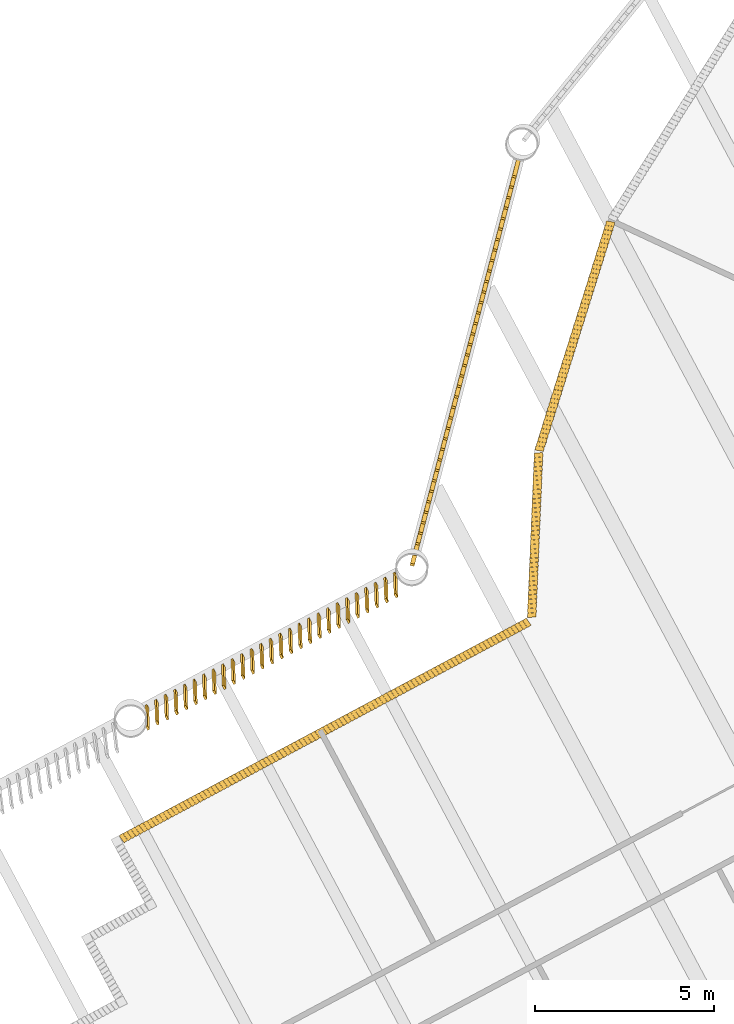
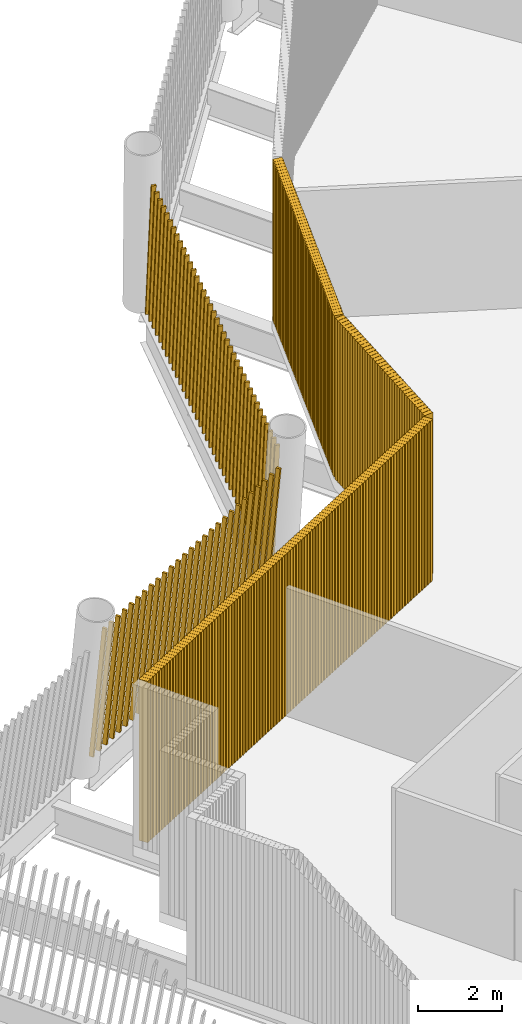
# One storey, part 14 of 21: 5 shading devices.
"""IFC4 building model written with IfcOpenShell, lengths in metres."""

from ifc_helpers import new_model, si_unit, direction, frame, frame_2d, origin, place, context, subcontext, project, spatial, rectangle, composite_profile, extrude, material, type_object, element, save


model = new_model("IFC4")

# Units and contexts
model_context = context("Model", 3, precision=1e-05, world=origin(), true_north=direction((0.0, 1.0)))
body_context = subcontext(model_context, "Body", "Model", "MODEL_VIEW")
ifc_project = project(units=[si_unit("LENGTHUNIT", "METRE"), si_unit("AREAUNIT", "SQUARE_METRE"), si_unit("VOLUMEUNIT", "CUBIC_METRE"), si_unit("PLANEANGLEUNIT", "RADIAN"), si_unit("MASSUNIT", "GRAM", prefix="KILO")], contexts=[model_context])

# Site, building, storey
site_placement = place(None, origin())
site = spatial("IfcSite", under=ifc_project, at=site_placement, CompositionType="ELEMENT")
building_placement = place(site_placement, origin())
building = spatial("IfcBuilding", under=site, at=building_placement, Name="Tarsis Ring Headquarters", CompositionType="ELEMENT")
storey_placement = place(building_placement, frame((0.0, 0.0, 398.60009765625)))
storey = spatial("IfcBuildingStorey", under=building, at=storey_placement, Name="L94", CompositionType="ELEMENT", Elevation=398.60009765625)

# Shading devices
ifc_material_1 = material(Name="Aluminium louvre", Category="aluminium")
shading_device_type_1 = type_object("IfcShadingDeviceType", Name="Plant louvre fin", PredefinedType="USERDEFINED", material=ifc_material_1)
shading_device_1_placement = place(storey_placement, frame((-23.469970703125, 10.88623046875, 0.0), z_axis=(0.0, 0.0, 1.0), x_axis=(-0.299371617449, -0.954124441539, 0.0)))
element("IfcShadingDevice", 1, at=shading_device_1_placement, inside=storey, type_object=shading_device_type_1, Name="Louvre L94-29", ObjectType="Louvre", PredefinedType="USERDEFINED", context=body_context, shape_type="SweptSolid", body=[
    extrude(composite_profile([rectangle(XDim=0.1201171875, YDim=0.239990234375, at=frame_2d((0.076171875, 0.0), x_axis=(0.990268068742, 0.13917310096))), rectangle(XDim=0.1201171875, YDim=0.239990234375, at=frame_2d((0.202392578125, 0.0), x_axis=(0.990268068742, 0.13917310096))), rectangle(XDim=0.1201171875, YDim=0.239990234375, at=frame_2d((0.328857421875, 0.0), x_axis=(0.990268068742, 0.13917310096))), rectangle(XDim=0.1201171875, YDim=0.239990234375, at=frame_2d((0.455078125, 0.0), x_axis=(0.990268068742, 0.13917310096))), rectangle(XDim=0.1201171875, YDim=0.239990234375, at=frame_2d((0.58154296875, 0.0), x_axis=(0.990268068742, 0.13917310096))), rectangle(XDim=0.1201171875, YDim=0.239990234375, at=frame_2d((0.707763671875, 0.0), x_axis=(0.990268068742, 0.13917310096))), rectangle(XDim=0.1201171875, YDim=0.239990234375, at=frame_2d((0.834228515625, 0.0), x_axis=(0.990268068742, 0.13917310096))), rectangle(XDim=0.1201171875, YDim=0.239990234375, at=frame_2d((0.96044921875, 0.0), x_axis=(0.990268068742, 0.13917310096))), rectangle(XDim=0.1201171875, YDim=0.239990234375, at=frame_2d((1.0869140625, 0.0), x_axis=(0.990268068742, 0.13917310096))), rectangle(XDim=0.1201171875, YDim=0.239990234375, at=frame_2d((1.213134765625, 0.0), x_axis=(0.990268068742, 0.13917310096))), rectangle(XDim=0.1201171875, YDim=0.239990234375, at=frame_2d((1.33935546875, 0.0), x_axis=(0.990268068742, 0.13917310096))), rectangle(XDim=0.1201171875, YDim=0.239990234375, at=frame_2d((1.4658203125, 0.0), x_axis=(0.990268068742, 0.13917310096))), rectangle(XDim=0.1201171875, YDim=0.239990234375, at=frame_2d((1.592041015625, 0.0), x_axis=(0.990268068742, 0.13917310096))), rectangle(XDim=0.1201171875, YDim=0.239990234375, at=frame_2d((1.718505859375, 0.0), x_axis=(0.990268068742, 0.13917310096))), rectangle(XDim=0.1201171875, YDim=0.239990234375, at=frame_2d((1.8447265625, 0.0), x_axis=(0.990268068742, 0.13917310096))), rectangle(XDim=0.1201171875, YDim=0.239990234375, at=frame_2d((1.97119140625, 0.0), x_axis=(0.990268068742, 0.13917310096))), rectangle(XDim=0.1201171875, YDim=0.239990234375, at=frame_2d((2.097412109375, 0.0), x_axis=(0.990268068742, 0.13917310096))), rectangle(XDim=0.1201171875, YDim=0.239990234375, at=frame_2d((2.223876953125, 0.0), x_axis=(0.990268068742, 0.13917310096))), rectangle(XDim=0.1201171875, YDim=0.239990234375, at=frame_2d((2.35009765625, 0.0), x_axis=(0.990268068742, 0.13917310096))), rectangle(XDim=0.1201171875, YDim=0.239990234375, at=frame_2d((2.476318359375, 0.0), x_axis=(0.990268068742, 0.13917310096))), rectangle(XDim=0.1201171875, YDim=0.239990234375, at=frame_2d((2.602783203125, 0.0), x_axis=(0.990268068742, 0.13917310096))), rectangle(XDim=0.1201171875, YDim=0.239990234375, at=frame_2d((2.72900390625, 0.0), x_axis=(0.990268068742, 0.13917310096))), rectangle(XDim=0.1201171875, YDim=0.239990234375, at=frame_2d((2.85546875, 0.0), x_axis=(0.990268068742, 0.13917310096))), rectangle(XDim=0.1201171875, YDim=0.239990234375, at=frame_2d((2.981689453125, 0.0), x_axis=(0.990268068742, 0.13917310096))), rectangle(XDim=0.1201171875, YDim=0.239990234375, at=frame_2d((3.108154296875, 0.0), x_axis=(0.990268068742, 0.13917310096))), rectangle(XDim=0.1201171875, YDim=0.239990234375, at=frame_2d((3.234375, 0.0), x_axis=(0.990268068742, 0.13917310096))), rectangle(XDim=0.1201171875, YDim=0.239990234375, at=frame_2d((3.36083984375, 0.0), x_axis=(0.990268068742, 0.13917310096))), rectangle(XDim=0.1201171875, YDim=0.239990234375, at=frame_2d((3.487060546875, 0.0), x_axis=(0.990268068742, 0.13917310096))), rectangle(XDim=0.1201171875, YDim=0.239990234375, at=frame_2d((3.61328125, 0.0), x_axis=(0.990268068742, 0.13917310096))), rectangle(XDim=0.1201171875, YDim=0.239990234375, at=frame_2d((3.73974609375, 0.0), x_axis=(0.990268068742, 0.13917310096))), rectangle(XDim=0.1201171875, YDim=0.239990234375, at=frame_2d((3.865966796875, 0.0), x_axis=(0.990268068742, 0.13917310096))), rectangle(XDim=0.1201171875, YDim=0.239990234375, at=frame_2d((3.992431640625, 0.0), x_axis=(0.990268068742, 0.13917310096))), rectangle(XDim=0.1201171875, YDim=0.239990234375, at=frame_2d((4.11865234375, 0.0), x_axis=(0.990268068742, 0.13917310096))), rectangle(XDim=0.1201171875, YDim=0.239990234375, at=frame_2d((4.2451171875, 0.0), x_axis=(0.990268068742, 0.13917310096))), rectangle(XDim=0.1201171875, YDim=0.239990234375, at=frame_2d((4.371337890625, 0.0), x_axis=(0.990268068742, 0.13917310096))), rectangle(XDim=0.1201171875, YDim=0.239990234375, at=frame_2d((4.49755859375, 0.0), x_axis=(0.990268068742, 0.13917310096))), rectangle(XDim=0.1201171875, YDim=0.239990234375, at=frame_2d((4.6240234375, 0.0), x_axis=(0.990268068742, 0.13917310096))), rectangle(XDim=0.1201171875, YDim=0.239990234375, at=frame_2d((4.750244140625, 0.0), x_axis=(0.990268068742, 0.13917310096))), rectangle(XDim=0.1201171875, YDim=0.239990234375, at=frame_2d((4.876708984375, 0.0), x_axis=(0.990268068742, 0.13917310096))), rectangle(XDim=0.1201171875, YDim=0.239990234375, at=frame_2d((5.0029296875, 0.0), x_axis=(0.990268068742, 0.13917310096))), rectangle(XDim=0.1201171875, YDim=0.239990234375, at=frame_2d((5.12939453125, 0.0), x_axis=(0.990268068742, 0.13917310096))), rectangle(XDim=0.1201171875, YDim=0.239990234375, at=frame_2d((5.255615234375, 0.0), x_axis=(0.990268068742, 0.13917310096))), rectangle(XDim=0.1201171875, YDim=0.239990234375, at=frame_2d((5.382080078125, 0.0), x_axis=(0.990268068742, 0.13917310096))), rectangle(XDim=0.1201171875, YDim=0.239990234375, at=frame_2d((5.50830078125, 0.0), x_axis=(0.990268068742, 0.13917310096))), rectangle(XDim=0.1201171875, YDim=0.239990234375, at=frame_2d((5.634521484375, 0.0), x_axis=(0.990268068742, 0.13917310096))), rectangle(XDim=0.1201171875, YDim=0.239990234375, at=frame_2d((5.760986328125, 0.0), x_axis=(0.990268068742, 0.13917310096))), rectangle(XDim=0.1201171875, YDim=0.239990234375, at=frame_2d((5.88720703125, 0.0), x_axis=(0.990268068742, 0.13917310096))), rectangle(XDim=0.1201171875, YDim=0.239990234375, at=frame_2d((6.013671875, 0.0), x_axis=(0.990268068742, 0.13917310096))), rectangle(XDim=0.1201171875, YDim=0.239990234375, at=frame_2d((6.139892578125, 0.0), x_axis=(0.990268068742, 0.13917310096))), rectangle(XDim=0.1201171875, YDim=0.239990234375, at=frame_2d((6.266357421875, 0.0), x_axis=(0.990268068742, 0.13917310096))), rectangle(XDim=0.1201171875, YDim=0.239990234375, at=frame_2d((6.392578125, 0.0), x_axis=(0.990268068742, 0.13917310096))), rectangle(XDim=0.1201171875, YDim=0.239990234375, at=frame_2d((6.51904296875, 0.0), x_axis=(0.990268068742, 0.13917310096))), rectangle(XDim=0.1201171875, YDim=0.239990234375, at=frame_2d((6.645263671875, 0.0), x_axis=(0.990268068742, 0.13917310096)))]), origin(), (0.0, 0.0, 1.0), 4.699951171875),
])
shading_device_2_placement = place(storey_placement, frame((-25.48779296875, 4.44091796875, 0.0), z_axis=(0.0, 0.0, 1.0), x_axis=(-0.04224160719, -0.9991012424, 0.0)))
element("IfcShadingDevice", 2, at=shading_device_2_placement, inside=storey, type_object=shading_device_type_1, Name="Louvre L94-30", ObjectType="Louvre", PredefinedType="USERDEFINED", context=body_context, shape_type="SweptSolid", body=[
    extrude(composite_profile([rectangle(XDim=0.1201171875, YDim=0.239990234375, at=frame_2d((0.076171875, 0.0), x_axis=(0.990268068742, 0.13917310096))), rectangle(XDim=0.1201171875, YDim=0.239990234375, at=frame_2d((0.203857421875, 0.0), x_axis=(0.990268068742, 0.13917310096))), rectangle(XDim=0.1201171875, YDim=0.239990234375, at=frame_2d((0.331298828125, 0.0), x_axis=(0.990268068742, 0.13917310096))), rectangle(XDim=0.1201171875, YDim=0.239990234375, at=frame_2d((0.458984375, 0.0), x_axis=(0.990268068742, 0.13917310096))), rectangle(XDim=0.1201171875, YDim=0.239990234375, at=frame_2d((0.58642578125, 0.0), x_axis=(0.990268068742, 0.13917310096))), rectangle(XDim=0.1201171875, YDim=0.239990234375, at=frame_2d((0.714111328125, 0.0), x_axis=(0.990268068742, 0.13917310096))), rectangle(XDim=0.1201171875, YDim=0.239990234375, at=frame_2d((0.841796875, 0.0), x_axis=(0.990268068742, 0.13917310096))), rectangle(XDim=0.1201171875, YDim=0.239990234375, at=frame_2d((0.96923828125, 0.0), x_axis=(0.990268068742, 0.13917310096))), rectangle(XDim=0.1201171875, YDim=0.239990234375, at=frame_2d((1.096923828125, 0.0), x_axis=(0.990268068742, 0.13917310096))), rectangle(XDim=0.1201171875, YDim=0.239990234375, at=frame_2d((1.224365234375, 0.0), x_axis=(0.990268068742, 0.13917310096))), rectangle(XDim=0.1201171875, YDim=0.239990234375, at=frame_2d((1.35205078125, 0.0), x_axis=(0.990268068742, 0.13917310096))), rectangle(XDim=0.1201171875, YDim=0.239990234375, at=frame_2d((1.479736328125, 0.0), x_axis=(0.990268068742, 0.13917310096))), rectangle(XDim=0.1201171875, YDim=0.239990234375, at=frame_2d((1.607177734375, 0.0), x_axis=(0.990268068742, 0.13917310096))), rectangle(XDim=0.1201171875, YDim=0.239990234375, at=frame_2d((1.73486328125, 0.0), x_axis=(0.990268068742, 0.13917310096))), rectangle(XDim=0.1201171875, YDim=0.239990234375, at=frame_2d((1.8623046875, 0.0), x_axis=(0.990268068742, 0.13917310096))), rectangle(XDim=0.1201171875, YDim=0.239990234375, at=frame_2d((1.989990234375, 0.0), x_axis=(0.990268068742, 0.13917310096))), rectangle(XDim=0.1201171875, YDim=0.239990234375, at=frame_2d((2.11767578125, 0.0), x_axis=(0.990268068742, 0.13917310096))), rectangle(XDim=0.1201171875, YDim=0.239990234375, at=frame_2d((2.2451171875, 0.0), x_axis=(0.990268068742, 0.13917310096))), rectangle(XDim=0.1201171875, YDim=0.239990234375, at=frame_2d((2.372802734375, 0.0), x_axis=(0.990268068742, 0.13917310096))), rectangle(XDim=0.1201171875, YDim=0.239990234375, at=frame_2d((2.500244140625, 0.0), x_axis=(0.990268068742, 0.13917310096))), rectangle(XDim=0.1201171875, YDim=0.239990234375, at=frame_2d((2.6279296875, 0.0), x_axis=(0.990268068742, 0.13917310096))), rectangle(XDim=0.1201171875, YDim=0.239990234375, at=frame_2d((2.755615234375, 0.0), x_axis=(0.990268068742, 0.13917310096))), rectangle(XDim=0.1201171875, YDim=0.239990234375, at=frame_2d((2.883056640625, 0.0), x_axis=(0.990268068742, 0.13917310096))), rectangle(XDim=0.1201171875, YDim=0.239990234375, at=frame_2d((3.0107421875, 0.0), x_axis=(0.990268068742, 0.13917310096))), rectangle(XDim=0.1201171875, YDim=0.239990234375, at=frame_2d((3.13818359375, 0.0), x_axis=(0.990268068742, 0.13917310096))), rectangle(XDim=0.1201171875, YDim=0.239990234375, at=frame_2d((3.265869140625, 0.0), x_axis=(0.990268068742, 0.13917310096))), rectangle(XDim=0.1201171875, YDim=0.239990234375, at=frame_2d((3.3935546875, 0.0), x_axis=(0.990268068742, 0.13917310096))), rectangle(XDim=0.1201171875, YDim=0.239990234375, at=frame_2d((3.52099609375, 0.0), x_axis=(0.990268068742, 0.13917310096))), rectangle(XDim=0.1201171875, YDim=0.239990234375, at=frame_2d((3.648681640625, 0.0), x_axis=(0.990268068742, 0.13917310096))), rectangle(XDim=0.1201171875, YDim=0.239990234375, at=frame_2d((3.776123046875, 0.0), x_axis=(0.990268068742, 0.13917310096))), rectangle(XDim=0.1201171875, YDim=0.239990234375, at=frame_2d((3.90380859375, 0.0), x_axis=(0.990268068742, 0.13917310096))), rectangle(XDim=0.1201171875, YDim=0.239990234375, at=frame_2d((4.031494140625, 0.0), x_axis=(0.990268068742, 0.13917310096))), rectangle(XDim=0.1201171875, YDim=0.239990234375, at=frame_2d((4.158935546875, 0.0), x_axis=(0.990268068742, 0.13917310096))), rectangle(XDim=0.1201171875, YDim=0.239990234375, at=frame_2d((4.28662109375, 0.0), x_axis=(0.990268068742, 0.13917310096))), rectangle(XDim=0.1201171875, YDim=0.239990234375, at=frame_2d((4.4140625, 0.0), x_axis=(0.990268068742, 0.13917310096))), rectangle(XDim=0.1201171875, YDim=0.239990234375, at=frame_2d((4.541748046875, 0.0), x_axis=(0.990268068742, 0.13917310096)))]), origin(), (0.0, 0.0, 1.0), 4.699951171875),
])
shading_device_3_placement = place(storey_placement, frame((-25.748779296875, -0.27783203125, 0.0), z_axis=(0.0, 0.0, 1.0), x_axis=(-0.882295057149, -0.470687306033, 0.0)))
element("IfcShadingDevice", 3, at=shading_device_3_placement, inside=storey, type_object=shading_device_type_1, Name="Louvre L94-31", ObjectType="Louvre", PredefinedType="USERDEFINED", context=body_context, shape_type="SweptSolid", body=[
    extrude(composite_profile([rectangle(XDim=0.1201171875, YDim=0.239990234375, at=frame_2d((0.076171875, 0.0), x_axis=(0.990268068742, 0.13917310096))), rectangle(XDim=0.1201171875, YDim=0.239990234375, at=frame_2d((0.202392578125, 0.0), x_axis=(0.990268068742, 0.13917310096))), rectangle(XDim=0.1201171875, YDim=0.239990234375, at=frame_2d((0.32861328125, 0.0), x_axis=(0.990268068742, 0.13917310096))), rectangle(XDim=0.1201171875, YDim=0.239990234375, at=frame_2d((0.454833984375, 0.0), x_axis=(0.990268068742, 0.13917310096))), rectangle(XDim=0.1201171875, YDim=0.239990234375, at=frame_2d((0.5810546875, 0.0), x_axis=(0.990268068742, 0.13917310096))), rectangle(XDim=0.1201171875, YDim=0.239990234375, at=frame_2d((0.707275390625, 0.0), x_axis=(0.990268068742, 0.13917310096))), rectangle(XDim=0.1201171875, YDim=0.239990234375, at=frame_2d((0.83349609375, 0.0), x_axis=(0.990268068742, 0.13917310096))), rectangle(XDim=0.1201171875, YDim=0.239990234375, at=frame_2d((0.959716796875, 0.0), x_axis=(0.990268068742, 0.13917310096))), rectangle(XDim=0.1201171875, YDim=0.239990234375, at=frame_2d((1.0859375, 0.0), x_axis=(0.990268068742, 0.13917310096))), rectangle(XDim=0.1201171875, YDim=0.239990234375, at=frame_2d((1.212158203125, 0.0), x_axis=(0.990268068742, 0.13917310096))), rectangle(XDim=0.1201171875, YDim=0.239990234375, at=frame_2d((1.33837890625, 0.0), x_axis=(0.990268068742, 0.13917310096))), rectangle(XDim=0.1201171875, YDim=0.239990234375, at=frame_2d((1.464599609375, 0.0), x_axis=(0.990268068742, 0.13917310096))), rectangle(XDim=0.1201171875, YDim=0.239990234375, at=frame_2d((1.5908203125, 0.0), x_axis=(0.990268068742, 0.13917310096))), rectangle(XDim=0.1201171875, YDim=0.239990234375, at=frame_2d((1.717041015625, 0.0), x_axis=(0.990268068742, 0.13917310096))), rectangle(XDim=0.1201171875, YDim=0.239990234375, at=frame_2d((1.84326171875, 0.0), x_axis=(0.990268068742, 0.13917310096))), rectangle(XDim=0.1201171875, YDim=0.239990234375, at=frame_2d((1.969482421875, 0.0), x_axis=(0.990268068742, 0.13917310096))), rectangle(XDim=0.1201171875, YDim=0.239990234375, at=frame_2d((2.095703125, 0.0), x_axis=(0.990268068742, 0.13917310096))), rectangle(XDim=0.1201171875, YDim=0.239990234375, at=frame_2d((2.22216796875, 0.0), x_axis=(0.990268068742, 0.13917310096))), rectangle(XDim=0.1201171875, YDim=0.239990234375, at=frame_2d((2.348388671875, 0.0), x_axis=(0.990268068742, 0.13917310096))), rectangle(XDim=0.1201171875, YDim=0.239990234375, at=frame_2d((2.474609375, 0.0), x_axis=(0.990268068742, 0.13917310096))), rectangle(XDim=0.1201171875, YDim=0.239990234375, at=frame_2d((2.600830078125, 0.0), x_axis=(0.990268068742, 0.13917310096))), rectangle(XDim=0.1201171875, YDim=0.239990234375, at=frame_2d((2.72705078125, 0.0), x_axis=(0.990268068742, 0.13917310096))), rectangle(XDim=0.1201171875, YDim=0.239990234375, at=frame_2d((2.853271484375, 0.0), x_axis=(0.990268068742, 0.13917310096))), rectangle(XDim=0.1201171875, YDim=0.239990234375, at=frame_2d((2.9794921875, 0.0), x_axis=(0.990268068742, 0.13917310096))), rectangle(XDim=0.1201171875, YDim=0.239990234375, at=frame_2d((3.105712890625, 0.0), x_axis=(0.990268068742, 0.13917310096))), rectangle(XDim=0.1201171875, YDim=0.239990234375, at=frame_2d((3.23193359375, 0.0), x_axis=(0.990268068742, 0.13917310096))), rectangle(XDim=0.1201171875, YDim=0.239990234375, at=frame_2d((3.358154296875, 0.0), x_axis=(0.990268068742, 0.13917310096))), rectangle(XDim=0.1201171875, YDim=0.239990234375, at=frame_2d((3.484375, 0.0), x_axis=(0.990268068742, 0.13917310096))), rectangle(XDim=0.1201171875, YDim=0.239990234375, at=frame_2d((3.610595703125, 0.0), x_axis=(0.990268068742, 0.13917310096))), rectangle(XDim=0.1201171875, YDim=0.239990234375, at=frame_2d((3.73681640625, 0.0), x_axis=(0.990268068742, 0.13917310096))), rectangle(XDim=0.1201171875, YDim=0.239990234375, at=frame_2d((3.863037109375, 0.0), x_axis=(0.990268068742, 0.13917310096))), rectangle(XDim=0.1201171875, YDim=0.239990234375, at=frame_2d((3.9892578125, 0.0), x_axis=(0.990268068742, 0.13917310096))), rectangle(XDim=0.1201171875, YDim=0.239990234375, at=frame_2d((4.115478515625, 0.0), x_axis=(0.990268068742, 0.13917310096))), rectangle(XDim=0.1201171875, YDim=0.239990234375, at=frame_2d((4.24169921875, 0.0), x_axis=(0.990268068742, 0.13917310096))), rectangle(XDim=0.1201171875, YDim=0.239990234375, at=frame_2d((4.367919921875, 0.0), x_axis=(0.990268068742, 0.13917310096))), rectangle(XDim=0.1201171875, YDim=0.239990234375, at=frame_2d((4.494140625, 0.0), x_axis=(0.990268068742, 0.13917310096))), rectangle(XDim=0.1201171875, YDim=0.239990234375, at=frame_2d((4.620361328125, 0.0), x_axis=(0.990268068742, 0.13917310096))), rectangle(XDim=0.1201171875, YDim=0.239990234375, at=frame_2d((4.74658203125, 0.0), x_axis=(0.990268068742, 0.13917310096))), rectangle(XDim=0.1201171875, YDim=0.239990234375, at=frame_2d((4.872802734375, 0.0), x_axis=(0.990268068742, 0.13917310096))), rectangle(XDim=0.1201171875, YDim=0.239990234375, at=frame_2d((4.9990234375, 0.0), x_axis=(0.990268068742, 0.13917310096))), rectangle(XDim=0.1201171875, YDim=0.239990234375, at=frame_2d((5.125244140625, 0.0), x_axis=(0.990268068742, 0.13917310096))), rectangle(XDim=0.1201171875, YDim=0.239990234375, at=frame_2d((5.25146484375, 0.0), x_axis=(0.990268068742, 0.13917310096))), rectangle(XDim=0.1201171875, YDim=0.239990234375, at=frame_2d((5.377685546875, 0.0), x_axis=(0.990268068742, 0.13917310096))), rectangle(XDim=0.1201171875, YDim=0.239990234375, at=frame_2d((5.50390625, 0.0), x_axis=(0.990268068742, 0.13917310096))), rectangle(XDim=0.1201171875, YDim=0.239990234375, at=frame_2d((5.630126953125, 0.0), x_axis=(0.990268068742, 0.13917310096))), rectangle(XDim=0.1201171875, YDim=0.239990234375, at=frame_2d((5.75634765625, 0.0), x_axis=(0.990268068742, 0.13917310096))), rectangle(XDim=0.1201171875, YDim=0.239990234375, at=frame_2d((5.882568359375, 0.0), x_axis=(0.990268068742, 0.13917310096))), rectangle(XDim=0.1201171875, YDim=0.239990234375, at=frame_2d((6.0087890625, 0.0), x_axis=(0.990268068742, 0.13917310096))), rectangle(XDim=0.1201171875, YDim=0.239990234375, at=frame_2d((6.135009765625, 0.0), x_axis=(0.990268068742, 0.13917310096))), rectangle(XDim=0.1201171875, YDim=0.239990234375, at=frame_2d((6.26123046875, 0.0), x_axis=(0.990268068742, 0.13917310096))), rectangle(XDim=0.1201171875, YDim=0.239990234375, at=frame_2d((6.387451171875, 0.0), x_axis=(0.990268068742, 0.13917310096))), rectangle(XDim=0.1201171875, YDim=0.239990234375, at=frame_2d((6.513916015625, 0.0), x_axis=(0.990268068742, 0.13917310096))), rectangle(XDim=0.1201171875, YDim=0.239990234375, at=frame_2d((6.64013671875, 0.0), x_axis=(0.990268068742, 0.13917310096))), rectangle(XDim=0.1201171875, YDim=0.239990234375, at=frame_2d((6.766357421875, 0.0), x_axis=(0.990268068742, 0.13917310096))), rectangle(XDim=0.1201171875, YDim=0.239990234375, at=frame_2d((6.892578125, 0.0), x_axis=(0.990268068742, 0.13917310096))), rectangle(XDim=0.1201171875, YDim=0.239990234375, at=frame_2d((7.018798828125, 0.0), x_axis=(0.990268068742, 0.13917310096))), rectangle(XDim=0.1201171875, YDim=0.239990234375, at=frame_2d((7.14501953125, 0.0), x_axis=(0.990268068742, 0.13917310096))), rectangle(XDim=0.1201171875, YDim=0.239990234375, at=frame_2d((7.271240234375, 0.0), x_axis=(0.990268068742, 0.13917310096))), rectangle(XDim=0.1201171875, YDim=0.239990234375, at=frame_2d((7.3974609375, 0.0), x_axis=(0.990268068742, 0.13917310096))), rectangle(XDim=0.1201171875, YDim=0.239990234375, at=frame_2d((7.523681640625, 0.0), x_axis=(0.990268068742, 0.13917310096))), rectangle(XDim=0.1201171875, YDim=0.239990234375, at=frame_2d((7.64990234375, 0.0), x_axis=(0.990268068742, 0.13917310096))), rectangle(XDim=0.1201171875, YDim=0.239990234375, at=frame_2d((7.776123046875, 0.0), x_axis=(0.990268068742, 0.13917310096))), rectangle(XDim=0.1201171875, YDim=0.239990234375, at=frame_2d((7.90234375, 0.0), x_axis=(0.990268068742, 0.13917310096))), rectangle(XDim=0.1201171875, YDim=0.239990234375, at=frame_2d((8.028564453125, 0.0), x_axis=(0.990268068742, 0.13917310096))), rectangle(XDim=0.1201171875, YDim=0.239990234375, at=frame_2d((8.15478515625, 0.0), x_axis=(0.990268068742, 0.13917310096))), rectangle(XDim=0.1201171875, YDim=0.239990234375, at=frame_2d((8.281005859375, 0.0), x_axis=(0.990268068742, 0.13917310096))), rectangle(XDim=0.1201171875, YDim=0.239990234375, at=frame_2d((8.4072265625, 0.0), x_axis=(0.990268068742, 0.13917310096))), rectangle(XDim=0.1201171875, YDim=0.239990234375, at=frame_2d((8.533447265625, 0.0), x_axis=(0.990268068742, 0.13917310096))), rectangle(XDim=0.1201171875, YDim=0.239990234375, at=frame_2d((8.65966796875, 0.0), x_axis=(0.990268068742, 0.13917310096))), rectangle(XDim=0.1201171875, YDim=0.239990234375, at=frame_2d((8.785888671875, 0.0), x_axis=(0.990268068742, 0.13917310096))), rectangle(XDim=0.1201171875, YDim=0.239990234375, at=frame_2d((8.912109375, 0.0), x_axis=(0.990268068742, 0.13917310096))), rectangle(XDim=0.1201171875, YDim=0.239990234375, at=frame_2d((9.038330078125, 0.0), x_axis=(0.990268068742, 0.13917310096))), rectangle(XDim=0.1201171875, YDim=0.239990234375, at=frame_2d((9.16455078125, 0.0), x_axis=(0.990268068742, 0.13917310096))), rectangle(XDim=0.1201171875, YDim=0.239990234375, at=frame_2d((9.290771484375, 0.0), x_axis=(0.990268068742, 0.13917310096))), rectangle(XDim=0.1201171875, YDim=0.239990234375, at=frame_2d((9.4169921875, 0.0), x_axis=(0.990268068742, 0.13917310096))), rectangle(XDim=0.1201171875, YDim=0.239990234375, at=frame_2d((9.543212890625, 0.0), x_axis=(0.990268068742, 0.13917310096))), rectangle(XDim=0.1201171875, YDim=0.239990234375, at=frame_2d((9.66943359375, 0.0), x_axis=(0.990268068742, 0.13917310096))), rectangle(XDim=0.1201171875, YDim=0.239990234375, at=frame_2d((9.795654296875, 0.0), x_axis=(0.990268068742, 0.13917310096))), rectangle(XDim=0.1201171875, YDim=0.239990234375, at=frame_2d((9.921875, 0.0), x_axis=(0.990268068742, 0.13917310096))), rectangle(XDim=0.1201171875, YDim=0.239990234375, at=frame_2d((10.048095703125, 0.0), x_axis=(0.990268068742, 0.13917310096))), rectangle(XDim=0.1201171875, YDim=0.239990234375, at=frame_2d((10.17431640625, 0.0), x_axis=(0.990268068742, 0.13917310096))), rectangle(XDim=0.1201171875, YDim=0.239990234375, at=frame_2d((10.300537109375, 0.0), x_axis=(0.990268068742, 0.13917310096))), rectangle(XDim=0.1201171875, YDim=0.239990234375, at=frame_2d((10.4267578125, 0.0), x_axis=(0.990268068742, 0.13917310096))), rectangle(XDim=0.1201171875, YDim=0.239990234375, at=frame_2d((10.552978515625, 0.0), x_axis=(0.990268068742, 0.13917310096))), rectangle(XDim=0.1201171875, YDim=0.239990234375, at=frame_2d((10.67919921875, 0.0), x_axis=(0.990268068742, 0.13917310096))), rectangle(XDim=0.1201171875, YDim=0.239990234375, at=frame_2d((10.8056640625, 0.0), x_axis=(0.990268068742, 0.13917310096))), rectangle(XDim=0.1201171875, YDim=0.239990234375, at=frame_2d((10.931884765625, 0.0), x_axis=(0.990268068742, 0.13917310096))), rectangle(XDim=0.1201171875, YDim=0.239990234375, at=frame_2d((11.05810546875, 0.0), x_axis=(0.990268068742, 0.13917310096))), rectangle(XDim=0.1201171875, YDim=0.239990234375, at=frame_2d((11.184326171875, 0.0), x_axis=(0.990268068742, 0.13917310096))), rectangle(XDim=0.1201171875, YDim=0.239990234375, at=frame_2d((11.310546875, 0.0), x_axis=(0.990268068742, 0.13917310096))), rectangle(XDim=0.1201171875, YDim=0.239990234375, at=frame_2d((11.436767578125, 0.0), x_axis=(0.990268068742, 0.13917310096))), rectangle(XDim=0.1201171875, YDim=0.239990234375, at=frame_2d((11.56298828125, 0.0), x_axis=(0.990268068742, 0.13917310096))), rectangle(XDim=0.1201171875, YDim=0.239990234375, at=frame_2d((11.689208984375, 0.0), x_axis=(0.990268068742, 0.13917310096))), rectangle(XDim=0.1201171875, YDim=0.239990234375, at=frame_2d((11.8154296875, 0.0), x_axis=(0.990268068742, 0.13917310096))), rectangle(XDim=0.1201171875, YDim=0.239990234375, at=frame_2d((11.941650390625, 0.0), x_axis=(0.990268068742, 0.13917310096))), rectangle(XDim=0.1201171875, YDim=0.239990234375, at=frame_2d((12.06787109375, 0.0), x_axis=(0.990268068742, 0.13917310096))), rectangle(XDim=0.1201171875, YDim=0.239990234375, at=frame_2d((12.194091796875, 0.0), x_axis=(0.990268068742, 0.13917310096))), rectangle(XDim=0.1201171875, YDim=0.239990234375, at=frame_2d((12.3203125, 0.0), x_axis=(0.990268068742, 0.13917310096))), rectangle(XDim=0.1201171875, YDim=0.239990234375, at=frame_2d((12.446533203125, 0.0), x_axis=(0.990268068742, 0.13917310096))), rectangle(XDim=0.1201171875, YDim=0.239990234375, at=frame_2d((12.57275390625, 0.0), x_axis=(0.990268068742, 0.13917310096))), rectangle(XDim=0.1201171875, YDim=0.239990234375, at=frame_2d((12.698974609375, 0.0), x_axis=(0.990268068742, 0.13917310096))), rectangle(XDim=0.1201171875, YDim=0.239990234375, at=frame_2d((12.8251953125, 0.0), x_axis=(0.990268068742, 0.13917310096)))]), origin(), (0.0, 0.0, 1.0), 4.699951171875),
])
ifc_material_2 = material(Name="Terracotta baguette", Category="masonry")
shading_device_type_2 = type_object("IfcShadingDeviceType", Name="Terracotta baguette screen", PredefinedType="USERDEFINED", material=ifc_material_2)
shading_device_4_placement = place(storey_placement, frame((-26.0341796875, 12.655517578125, 0.0), z_axis=(0.0, 0.0, 1.0), x_axis=(-0.254112948735, -0.967183226983, 0.0)))
element("IfcShadingDevice", 4, at=shading_device_4_placement, inside=storey, type_object=shading_device_type_2, Name="Baguette screen L94-12", ObjectType="Terracotta baguette screen", PredefinedType="USERDEFINED", context=body_context, shape_type="SweptSolid", body=[
    extrude(composite_profile([rectangle(XDim=0.06005859375, YDim=0.1201171875, at=frame_2d((0.030029296875, 0.0))), rectangle(XDim=0.06005859375, YDim=0.1201171875, at=frame_2d((0.33251953125, 0.0))), rectangle(XDim=0.06005859375, YDim=0.1201171875, at=frame_2d((0.634765625, 0.0))), rectangle(XDim=0.06005859375, YDim=0.1201171875, at=frame_2d((0.937255859375, 0.0))), rectangle(XDim=0.06005859375, YDim=0.1201171875, at=frame_2d((1.239501953125, 0.0))), rectangle(XDim=0.06005859375, YDim=0.1201171875, at=frame_2d((1.5419921875, 0.0))), rectangle(XDim=0.06005859375, YDim=0.1201171875, at=frame_2d((1.844482421875, 0.0))), rectangle(XDim=0.06005859375, YDim=0.1201171875, at=frame_2d((2.146728515625, 0.0))), rectangle(XDim=0.06005859375, YDim=0.1201171875, at=frame_2d((2.44921875, 0.0))), rectangle(XDim=0.06005859375, YDim=0.1201171875, at=frame_2d((2.751708984375, 0.0))), rectangle(XDim=0.06005859375, YDim=0.1201171875, at=frame_2d((3.053955078125, 0.0))), rectangle(XDim=0.06005859375, YDim=0.1201171875, at=frame_2d((3.3564453125, 0.0))), rectangle(XDim=0.06005859375, YDim=0.1201171875, at=frame_2d((3.65869140625, 0.0))), rectangle(XDim=0.06005859375, YDim=0.1201171875, at=frame_2d((3.961181640625, 0.0))), rectangle(XDim=0.06005859375, YDim=0.1201171875, at=frame_2d((4.263671875, 0.0))), rectangle(XDim=0.06005859375, YDim=0.1201171875, at=frame_2d((4.56591796875, 0.0))), rectangle(XDim=0.06005859375, YDim=0.1201171875, at=frame_2d((4.868408203125, 0.0))), rectangle(XDim=0.06005859375, YDim=0.1201171875, at=frame_2d((5.1708984375, 0.0))), rectangle(XDim=0.06005859375, YDim=0.1201171875, at=frame_2d((5.47314453125, 0.0))), rectangle(XDim=0.06005859375, YDim=0.1201171875, at=frame_2d((5.775634765625, 0.0))), rectangle(XDim=0.06005859375, YDim=0.1201171875, at=frame_2d((6.077880859375, 0.0))), rectangle(XDim=0.06005859375, YDim=0.1201171875, at=frame_2d((6.38037109375, 0.0))), rectangle(XDim=0.06005859375, YDim=0.1201171875, at=frame_2d((6.682861328125, 0.0))), rectangle(XDim=0.06005859375, YDim=0.1201171875, at=frame_2d((6.985107421875, 0.0))), rectangle(XDim=0.06005859375, YDim=0.1201171875, at=frame_2d((7.28759765625, 0.0))), rectangle(XDim=0.06005859375, YDim=0.1201171875, at=frame_2d((7.590087890625, 0.0))), rectangle(XDim=0.06005859375, YDim=0.1201171875, at=frame_2d((7.892333984375, 0.0))), rectangle(XDim=0.06005859375, YDim=0.1201171875, at=frame_2d((8.19482421875, 0.0))), rectangle(XDim=0.06005859375, YDim=0.1201171875, at=frame_2d((8.4970703125, 0.0))), rectangle(XDim=0.06005859375, YDim=0.1201171875, at=frame_2d((8.799560546875, 0.0))), rectangle(XDim=0.06005859375, YDim=0.1201171875, at=frame_2d((9.10205078125, 0.0))), rectangle(XDim=0.06005859375, YDim=0.1201171875, at=frame_2d((9.404296875, 0.0))), rectangle(XDim=0.06005859375, YDim=0.1201171875, at=frame_2d((9.706787109375, 0.0))), rectangle(XDim=0.06005859375, YDim=0.1201171875, at=frame_2d((10.00927734375, 0.0))), rectangle(XDim=0.06005859375, YDim=0.1201171875, at=frame_2d((10.3115234375, 0.0))), rectangle(XDim=0.06005859375, YDim=0.1201171875, at=frame_2d((10.614013671875, 0.0))), rectangle(XDim=0.06005859375, YDim=0.1201171875, at=frame_2d((10.916259765625, 0.0))), rectangle(XDim=0.06005859375, YDim=0.1201171875, at=frame_2d((11.21875, 0.0)))]), origin(), (0.124853545521, 0.001132298036, 0.992174536093), 4.1279296875),
])
shading_device_5_placement = place(storey_placement, frame((-29.4609375, 1.05712890625, 0.0), z_axis=(0.0, 0.0, 1.0), x_axis=(-0.882287515062, -0.470726357092, 0.0)))
element("IfcShadingDevice", 5, at=shading_device_5_placement, inside=storey, type_object=shading_device_type_2, Name="Baguette screen L94-13", ObjectType="Terracotta baguette screen", PredefinedType="USERDEFINED", context=body_context, shape_type="SweptSolid", body=[
    extrude(composite_profile([rectangle(XDim=0.06005859375, YDim=0.1201171875, at=frame_2d((0.030029296875, 0.0))), rectangle(XDim=0.06005859375, YDim=0.1201171875, at=frame_2d((0.33154296875, 0.0))), rectangle(XDim=0.06005859375, YDim=0.1201171875, at=frame_2d((0.63330078125, 0.0))), rectangle(XDim=0.06005859375, YDim=0.1201171875, at=frame_2d((0.934814453125, 0.0))), rectangle(XDim=0.06005859375, YDim=0.1201171875, at=frame_2d((1.236572265625, 0.0))), rectangle(XDim=0.06005859375, YDim=0.1201171875, at=frame_2d((1.5380859375, 0.0))), rectangle(XDim=0.06005859375, YDim=0.1201171875, at=frame_2d((1.83984375, 0.0))), rectangle(XDim=0.06005859375, YDim=0.1201171875, at=frame_2d((2.141357421875, 0.0))), rectangle(XDim=0.06005859375, YDim=0.1201171875, at=frame_2d((2.443115234375, 0.0))), rectangle(XDim=0.06005859375, YDim=0.1201171875, at=frame_2d((2.74462890625, 0.0))), rectangle(XDim=0.06005859375, YDim=0.1201171875, at=frame_2d((3.04638671875, 0.0))), rectangle(XDim=0.06005859375, YDim=0.1201171875, at=frame_2d((3.347900390625, 0.0))), rectangle(XDim=0.06005859375, YDim=0.1201171875, at=frame_2d((3.649658203125, 0.0))), rectangle(XDim=0.06005859375, YDim=0.1201171875, at=frame_2d((3.951171875, 0.0))), rectangle(XDim=0.06005859375, YDim=0.1201171875, at=frame_2d((4.252685546875, 0.0))), rectangle(XDim=0.06005859375, YDim=0.1201171875, at=frame_2d((4.554443359375, 0.0))), rectangle(XDim=0.06005859375, YDim=0.1201171875, at=frame_2d((4.85595703125, 0.0))), rectangle(XDim=0.06005859375, YDim=0.1201171875, at=frame_2d((5.15771484375, 0.0))), rectangle(XDim=0.06005859375, YDim=0.1201171875, at=frame_2d((5.459228515625, 0.0))), rectangle(XDim=0.06005859375, YDim=0.1201171875, at=frame_2d((5.760986328125, 0.0))), rectangle(XDim=0.06005859375, YDim=0.1201171875, at=frame_2d((6.0625, 0.0))), rectangle(XDim=0.06005859375, YDim=0.1201171875, at=frame_2d((6.3642578125, 0.0))), rectangle(XDim=0.06005859375, YDim=0.1201171875, at=frame_2d((6.665771484375, 0.0))), rectangle(XDim=0.06005859375, YDim=0.1201171875, at=frame_2d((6.967529296875, 0.0))), rectangle(XDim=0.06005859375, YDim=0.1201171875, at=frame_2d((7.26904296875, 0.0))), rectangle(XDim=0.06005859375, YDim=0.1201171875, at=frame_2d((7.57080078125, 0.0))), rectangle(XDim=0.06005859375, YDim=0.1201171875, at=frame_2d((7.872314453125, 0.0)))]), origin(), (0.063730027234, 0.129713777722, 0.989501298381), 4.13916015625),
])

save(model, "model.ifc")
